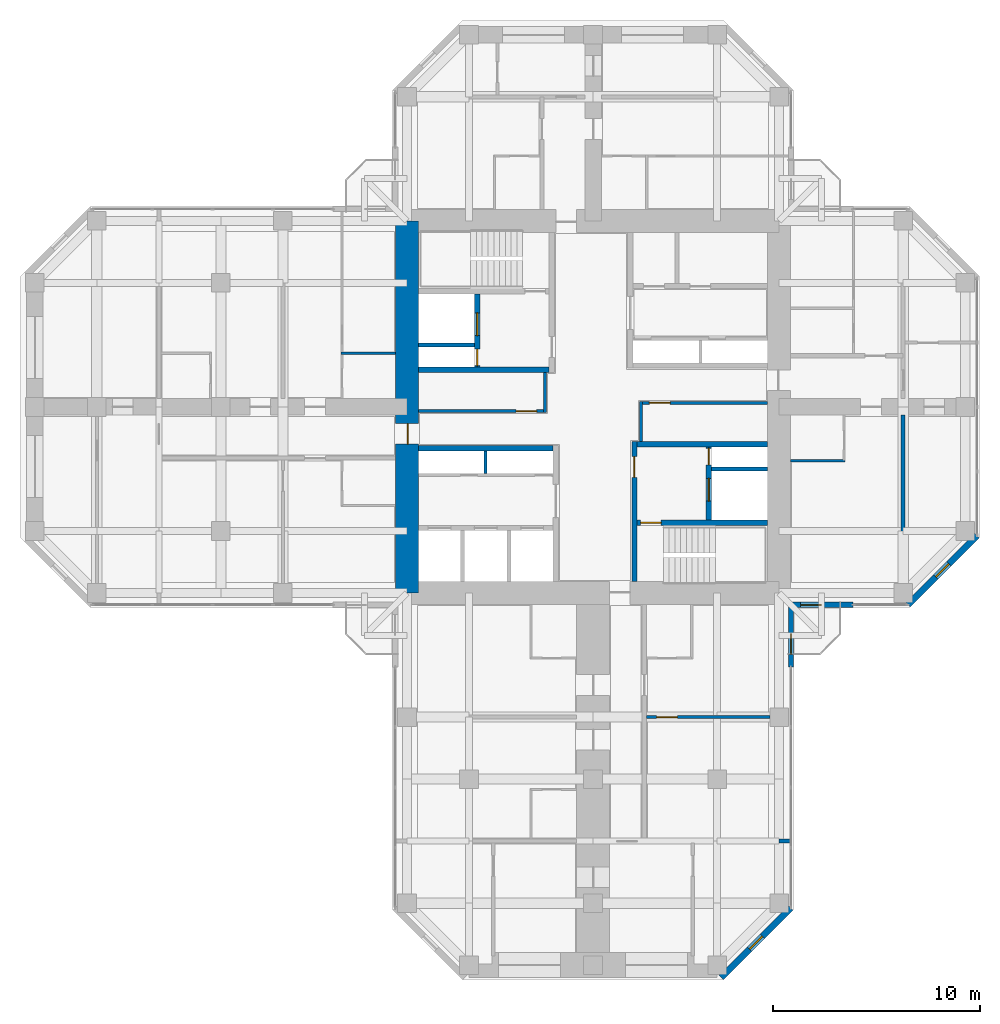
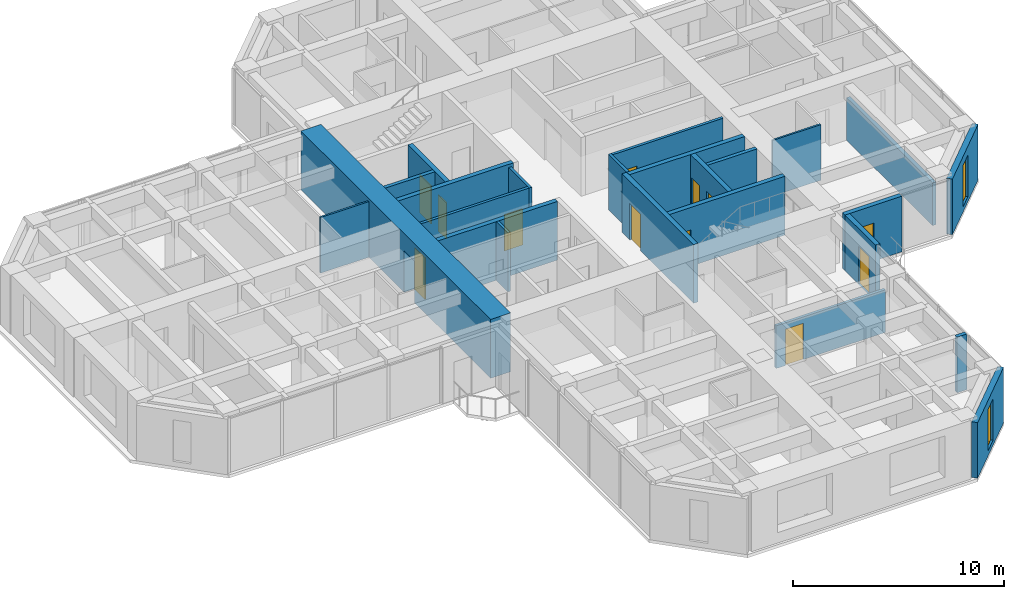
# One storey, part 10 of 14: 24 walls, 12 doors, 2 windows, 14 openings.
"""IFC4 building model written with IfcOpenShell, lengths in metres."""

from ifc_helpers import new_model, si_unit, direction, frame, frame_2d, origin, place, context, subcontext, project, spatial, rectangle, hollow_rectangle, extrude, material, layer, layer_set, constituent, constituent_set, type_object, element, fill, save


model = new_model("IFC4")

# Units and contexts
model_context = context("Model", 3, precision=1e-05, world=origin(), true_north=direction((0.0, 1.0)))
body_context = subcontext(model_context, "Body", "Model", "MODEL_VIEW")
ifc_project = project(units=[si_unit("LENGTHUNIT", "METRE"), si_unit("AREAUNIT", "SQUARE_METRE"), si_unit("VOLUMEUNIT", "CUBIC_METRE"), si_unit("PLANEANGLEUNIT", "RADIAN"), si_unit("MASSUNIT", "GRAM", prefix="KILO")], contexts=[model_context])

# Site, building, storey
site_placement = place(None, origin())
site = spatial("IfcSite", under=ifc_project, at=site_placement, CompositionType="ELEMENT")
building_placement = place(site_placement, origin())
building = spatial("IfcBuilding", under=site, at=building_placement, Name="Torre Cruceta", CompositionType="ELEMENT")
storey_placement = place(building_placement, frame((0.0, 0.0, 200.10009765625)))
storey = spatial("IfcBuildingStorey", under=building, at=storey_placement, Name="L50", CompositionType="ELEMENT", Elevation=200.10009765625)

# Walls
ifc_material_1 = material(Name="Water-resistant plasterboard on steel studs", Category="steel")
ifc_layer_1 = layer(ifc_material_1, 0.10009765625)
ifc_layer_set_1 = layer_set([ifc_layer_1], Name="Water-resistant plasterboard on steel studs")
wall_type_1 = type_object("IfcWallType", Name="BATHROOM WALL 100", PredefinedType="PARTITIONING", material=ifc_layer_set_1)
for number, where, z_axis, x_axis, name in (
    (1, (9.550048828125, -2.60009765625, 0.0), (0.0, 0.0, 1.0), (1.0, 0.0, 0.0), "PT4 L50-E-U1RBB"),
    (2, (-9.550048828125, 2.60009765625, 0.0), (0.0, 0.0, 1.0), (-1.0, 0.0, 0.0), "PT4 L50-W-U1RBB"),
):
    element("IfcWall", number, at=place(storey_placement, frame(where, z_axis=z_axis, x_axis=x_axis)), inside=storey, type_object=wall_type_1, Name=name, PredefinedType="PARTITIONING", context=body_context, shape_type="SweptSolid", body=[
        extrude(rectangle(XDim=2.64990234375, YDim=0.10009765625, at=frame_2d((1.324951171875, 0.0))), origin(), (0.0, 0.0, 1.0), 3.219970703125),
    ])
ifc_material_2 = material(Name="Concrete G60 (fck 60 MPa)", Category="concrete")
ifc_layer_2 = layer(ifc_material_2, 0.25)
ifc_layer_set_2 = layer_set([ifc_layer_2], Name="Concrete G60 (fck 60 MPa)")
wall_type_2 = type_object("IfcWallType", Name="CORE INNER WALL 250 G60", PredefinedType="SHEAR", material=ifc_layer_set_2)
wall_1_placement = place(storey_placement, frame((-2.125, 1.800048828125, 0.0), z_axis=(0.0, 0.0, 1.0), x_axis=(-1.0, 0.0, 0.0)))
element("IfcWall", 3, at=wall_1_placement, inside=storey, type_object=wall_type_2, Name="CW4 L50 NW-CV", PredefinedType="SHEAR", context=body_context, shape_type="SweptSolid", body=[
    extrude(rectangle(XDim=6.324951171875, YDim=0.25, at=frame_2d((3.16259765625, 0.0))), origin(), (0.0, 0.0, 1.0), 3.39990234375),
])

# Wall, openings, doors
wall_2_placement = place(storey_placement, frame((-5.60009765625, 1.925048828125, 0.0), z_axis=(0.0, 0.0, 1.0), x_axis=(0.0, 1.0, 0.0)))
wall_2 = element("IfcWall", 4, at=wall_2_placement, inside=storey, type_object=wall_type_2, Name="CW4 L50 NW-FU", PredefinedType="SHEAR", context=body_context, shape_type="SweptSolid", body=[
    extrude(rectangle(XDim=3.550048828125, YDim=0.25, at=frame_2d((1.77490234375, 0.0))), origin(), (0.0, 0.0, 1.0), 3.39990234375),
])
opening_1_placement = place(wall_2_placement, frame((1.52490234375, 0.0, 0.0)))
opening_1 = element("IfcOpeningElement", 5, at=opening_1_placement, cuts=wall_2, Name="Opening LD1", PredefinedType="OPENING", context=body_context, shape_type="SweptSolid", body=[
    extrude(rectangle(XDim=1.10009765625, YDim=2.199951171875, at=frame_2d((0.550048828125, 1.10009765625))), frame((0.0, 0.135009765625, 0.0), z_axis=(0.0, -1.0, 0.0), x_axis=(1.0, 0.0, 0.0)), (0.0, 0.0, 1.0), 0.27001953125),
])
opening_2_placement = place(wall_2_placement, frame((0.074951171875, 0.0, 0.0)))
opening_2 = element("IfcOpeningElement", 6, at=opening_2_placement, cuts=wall_2, Name="Opening D5", PredefinedType="OPENING", context=body_context, shape_type="SweptSolid", body=[
    extrude(rectangle(XDim=0.800048828125, YDim=2.10009765625, at=frame_2d((0.39990234375, 1.050048828125))), frame((0.0, 0.135009765625, 0.0), z_axis=(0.0, -1.0, 0.0), x_axis=(1.0, 0.0, 0.0)), (0.0, 0.0, 1.0), 0.27001953125),
])
ifc_material_3 = material(Name="Stainless steel 1.4401", Category="steel")
door_type_1 = type_object("IfcDoorType", Name="LIFT LANDING DOOR 1100X2200", OperationType="DOUBLE_DOOR_SLIDING", PredefinedType="DOOR", material=ifc_material_3)
door_1_placement = place(opening_1_placement, origin())
door_1 = element("IfcDoor", 7, at=door_1_placement, inside=storey, type_object=door_type_1, Name="Lift landing door FL1", OperationType="DOUBLE_DOOR_SLIDING", OverallHeight=2.199951171875, OverallWidth=1.10009765625, PredefinedType="DOOR", context=body_context, shape_type="SweptSolid", body=[
    extrude(rectangle(XDim=1.10009765625, YDim=2.199951171875, at=frame_2d((0.550048828125, 1.10009765625))), frame((0.0, 0.02490234375, 0.0), z_axis=(0.0, -1.0, 0.0), x_axis=(1.0, 0.0, 0.0)), (0.0, 0.0, 1.0), 0.050048828125),
])
fill(opening_1, door_1)
ifc_material_4 = material(Name="Steel DX51D", Category="steel")
ifc_constituent_1 = constituent(ifc_material_4, Name="Leaf and frame")
ifc_material_5 = material(Name="Polyester powder coating", Category="paint")
ifc_constituent_2 = constituent(ifc_material_5, Name="Finish")
ifc_constituent_set_1 = constituent_set(constituents=[ifc_constituent_1, ifc_constituent_2], Name="Steel fire door")
door_type_2 = type_object("IfcDoorType", Name="RISER ACCESS DOOR 800X2100", OperationType="SINGLE_SWING_LEFT", PredefinedType="DOOR", material=ifc_constituent_set_1)
door_2_placement = place(opening_2_placement, origin())
door_2 = element("IfcDoor", 8, at=door_2_placement, inside=storey, type_object=door_type_2, Name="D5 L50 NW-RISER", OperationType="SINGLE_SWING_LEFT", OverallHeight=2.10009765625, OverallWidth=0.800048828125, PredefinedType="DOOR", context=body_context, shape_type="SweptSolid", body=[
    extrude(rectangle(XDim=0.800048828125, YDim=2.10009765625, at=frame_2d((0.39990234375, 1.050048828125))), frame((0.0, 0.02490234375, 0.0), z_axis=(0.0, -1.0, 0.0), x_axis=(1.0, 0.0, 0.0)), (0.0, 0.0, 1.0), 0.050048828125),
])
fill(opening_2, door_2)

# Wall
wall_3_placement = place(storey_placement, frame((-1.925048828125, -2.0, 0.0), z_axis=(0.0, 0.0, 1.0), x_axis=(-1.0, 0.0, 0.0)))
element("IfcWall", 9, at=wall_3_placement, inside=storey, type_object=wall_type_2, Name="CW4 L50 SW-CV", PredefinedType="SHEAR", context=body_context, shape_type="SweptSolid", body=[
    extrude(rectangle(XDim=6.52490234375, YDim=0.25, at=frame_2d((3.262451171875, 0.0))), origin(), (0.0, 0.0, 1.0), 3.39990234375),
])

# Wall, opening, door
wall_4_placement = place(storey_placement, frame((2.0, -1.675048828125, 0.0), z_axis=(0.0, 0.0, 1.0), x_axis=(0.0, -1.0, 0.0)))
wall_4 = element("IfcWall", 10, at=wall_4_placement, inside=storey, type_object=wall_type_2, Name="CW4 L50 SE-CU", PredefinedType="SHEAR", context=body_context, shape_type="SweptSolid", body=[
    extrude(rectangle(XDim=6.77490234375, YDim=0.25, at=frame_2d((3.387451171875, 0.0))), origin(), (0.0, 0.0, 1.0), 3.39990234375),
])
opening_3_placement = place(wall_4_placement, frame((0.72509765625, 0.0, 0.0)))
opening_3 = element("IfcOpeningElement", 11, at=opening_3_placement, cuts=wall_4, Name="Opening D3", PredefinedType="OPENING", context=body_context, shape_type="SweptSolid", body=[
    extrude(rectangle(XDim=1.0, YDim=2.10009765625, at=frame_2d((0.5, 1.050048828125))), frame((0.0, 0.135009765625, 0.0), z_axis=(0.0, -1.0, 0.0), x_axis=(1.0, 0.0, 0.0)), (0.0, 0.0, 1.0), 0.27001953125),
])
ifc_material_6 = material(Name="Steel DX51D", Category="steel")
ifc_constituent_3 = constituent(ifc_material_6, Name="Leaf and frame")
ifc_material_7 = material(Name="Polyester powder coating", Category="paint")
ifc_constituent_4 = constituent(ifc_material_7, Name="Finish")
ifc_constituent_set_2 = constituent_set(constituents=[ifc_constituent_3, ifc_constituent_4], Name="Steel fire door")
door_type_3 = type_object("IfcDoorType", Name="FIRE DOOR 1000X2100", OperationType="SINGLE_SWING_LEFT", PredefinedType="DOOR", material=ifc_constituent_set_2)
door_3_placement = place(opening_3_placement, origin())
door_3 = element("IfcDoor", 12, at=door_3_placement, inside=storey, type_object=door_type_3, Name="D3 L50 SE-LOBBY", OperationType="SINGLE_SWING_LEFT", OverallHeight=2.10009765625, OverallWidth=1.0, PredefinedType="DOOR", context=body_context, shape_type="SweptSolid", body=[
    extrude(rectangle(XDim=1.0, YDim=2.10009765625, at=frame_2d((0.5, 1.050048828125))), frame((0.0, 0.02490234375, 0.0), z_axis=(0.0, -1.0, 0.0), x_axis=(1.0, 0.0, 0.0)), (0.0, 0.0, 1.0), 0.050048828125),
])
fill(opening_3, door_3)

# Wall
wall_5_placement = place(storey_placement, frame((2.125, -1.800048828125, 0.0), z_axis=(0.0, 0.0, 1.0), x_axis=(1.0, 0.0, 0.0)))
element("IfcWall", 13, at=wall_5_placement, inside=storey, type_object=wall_type_2, Name="CW4 L50 SE-CV", PredefinedType="SHEAR", context=body_context, shape_type="SweptSolid", body=[
    extrude(rectangle(XDim=6.324951171875, YDim=0.25, at=frame_2d((3.16259765625, 0.0))), origin(), (0.0, 0.0, 1.0), 3.39990234375),
])

# Wall, opening, door
wall_6_placement = place(storey_placement, frame((2.125, -5.60009765625, 0.0), z_axis=(0.0, 0.0, 1.0), x_axis=(1.0, 0.0, 0.0)))
wall_6 = element("IfcWall", 14, at=wall_6_placement, inside=storey, type_object=wall_type_2, Name="CW4 L50 SE-SV", PredefinedType="SHEAR", context=body_context, shape_type="SweptSolid", body=[
    extrude(rectangle(XDim=6.324951171875, YDim=0.25, at=frame_2d((3.16259765625, 0.0))), origin(), (0.0, 0.0, 1.0), 3.39990234375),
])
opening_4_placement = place(wall_6_placement, frame((0.175048828125, 0.0, 0.0)))
opening_4 = element("IfcOpeningElement", 15, at=opening_4_placement, cuts=wall_6, Name="Opening D3", PredefinedType="OPENING", context=body_context, shape_type="SweptSolid", body=[
    extrude(rectangle(XDim=1.0, YDim=2.10009765625, at=frame_2d((0.5, 1.050048828125))), frame((0.0, 0.135009765625, 0.0), z_axis=(0.0, -1.0, 0.0), x_axis=(1.0, 0.0, 0.0)), (0.0, 0.0, 1.0), 0.27001953125),
])
door_4_placement = place(opening_4_placement, frame((1.0, 0.0, 0.0), z_axis=(0.0, 0.0, 1.0), x_axis=(-1.0, 0.0, 0.0)))
door_4 = element("IfcDoor", 16, at=door_4_placement, inside=storey, type_object=door_type_3, Name="D3 L50 SE-STAIR", OperationType="SINGLE_SWING_RIGHT", OverallHeight=2.10009765625, OverallWidth=1.0, PredefinedType="DOOR", context=body_context, shape_type="SweptSolid", body=[
    extrude(rectangle(XDim=1.0, YDim=2.10009765625, at=frame_2d((0.5, 1.050048828125))), frame((0.0, 0.025146484375, 0.0), z_axis=(0.0, -1.0, 0.0), x_axis=(1.0, 0.0, 0.0)), (0.0, 0.0, 1.0), 0.050048828125),
])
fill(opening_4, door_4)

# Wall, openings, doors
wall_7_placement = place(storey_placement, frame((5.60009765625, -1.925048828125, 0.0), z_axis=(0.0, 0.0, 1.0), x_axis=(0.0, -1.0, 0.0)))
wall_7 = element("IfcWall", 17, at=wall_7_placement, inside=storey, type_object=wall_type_2, Name="CW4 L50 SE-FU", PredefinedType="SHEAR", context=body_context, shape_type="SweptSolid", body=[
    extrude(rectangle(XDim=3.550048828125, YDim=0.25, at=frame_2d((1.77490234375, 0.0))), origin(), (0.0, 0.0, 1.0), 3.39990234375),
])
opening_5_placement = place(wall_7_placement, frame((1.52490234375, 0.0, 0.0)))
opening_5 = element("IfcOpeningElement", 18, at=opening_5_placement, cuts=wall_7, Name="Opening LD1", PredefinedType="OPENING", context=body_context, shape_type="SweptSolid", body=[
    extrude(rectangle(XDim=1.10009765625, YDim=2.199951171875, at=frame_2d((0.550048828125, 1.10009765625))), frame((0.0, 0.135009765625, 0.0), z_axis=(0.0, -1.0, 0.0), x_axis=(1.0, 0.0, 0.0)), (0.0, 0.0, 1.0), 0.27001953125),
])
opening_6_placement = place(wall_7_placement, frame((0.074951171875, 0.0, 0.0)))
opening_6 = element("IfcOpeningElement", 19, at=opening_6_placement, cuts=wall_7, Name="Opening D5", PredefinedType="OPENING", context=body_context, shape_type="SweptSolid", body=[
    extrude(rectangle(XDim=0.800048828125, YDim=2.10009765625, at=frame_2d((0.39990234375, 1.050048828125))), frame((0.0, 0.135009765625, 0.0), z_axis=(0.0, -1.0, 0.0), x_axis=(1.0, 0.0, 0.0)), (0.0, 0.0, 1.0), 0.27001953125),
])
door_5_placement = place(opening_5_placement, origin())
door_5 = element("IfcDoor", 20, at=door_5_placement, inside=storey, type_object=door_type_1, Name="Lift landing door FL2", OperationType="DOUBLE_DOOR_SLIDING", OverallHeight=2.199951171875, OverallWidth=1.10009765625, PredefinedType="DOOR", context=body_context, shape_type="SweptSolid", body=[
    extrude(rectangle(XDim=1.10009765625, YDim=2.199951171875, at=frame_2d((0.550048828125, 1.10009765625))), frame((0.0, 0.02490234375, 0.0), z_axis=(0.0, -1.0, 0.0), x_axis=(1.0, 0.0, 0.0)), (0.0, 0.0, 1.0), 0.050048828125),
])
fill(opening_5, door_5)
door_6_placement = place(opening_6_placement, origin())
door_6 = element("IfcDoor", 21, at=door_6_placement, inside=storey, type_object=door_type_2, Name="D5 L50 SE-RISER", OperationType="SINGLE_SWING_LEFT", OverallHeight=2.10009765625, OverallWidth=0.800048828125, PredefinedType="DOOR", context=body_context, shape_type="SweptSolid", body=[
    extrude(rectangle(XDim=0.800048828125, YDim=2.10009765625, at=frame_2d((0.39990234375, 1.050048828125))), frame((0.0, 0.02490234375, 0.0), z_axis=(0.0, -1.0, 0.0), x_axis=(1.0, 0.0, 0.0)), (0.0, 0.0, 1.0), 0.050048828125),
])
fill(opening_6, door_6)

# Wall, opening, door
ifc_material_8 = material(Name="Concrete G60 (fck 60 MPa)", Category="concrete")
ifc_layer_3 = layer(ifc_material_8, 1.10009765625)
ifc_layer_set_3 = layer_set([ifc_layer_3], Name="Concrete G60 (fck 60 MPa)")
wall_type_3 = type_object("IfcWallType", Name="CORE WALL 1100 G60", PredefinedType="SHEAR", material=ifc_layer_set_3)
wall_8_placement = place(storey_placement, frame((-9.0, 9.0, 0.0), z_axis=(0.0, 0.0, 1.0), x_axis=(0.0, -1.0, 0.0)))
wall_8 = element("IfcWall", 22, at=wall_8_placement, inside=storey, type_object=wall_type_3, Name="CW2 L50 CW-W", PredefinedType="SHEAR", context=body_context, shape_type="SweptSolid", body=[
    extrude(rectangle(XDim=18.0, YDim=1.10009765625, at=frame_2d((9.0, 0.0))), origin(), (0.0, 0.0, 1.0), 3.39990234375),
])
opening_7_placement = place(wall_8_placement, frame((9.800048828125, 0.0, 0.0)))
opening_7 = element("IfcOpeningElement", 23, at=opening_7_placement, cuts=wall_8, Name="Opening D4", PredefinedType="OPENING", context=body_context, shape_type="SweptSolid", body=[
    extrude(rectangle(XDim=1.0, YDim=2.39990234375, at=frame_2d((0.5, 1.199951171875))), frame((0.0, 0.56005859375, 0.0), z_axis=(0.0, -1.0, 0.0), x_axis=(1.0, 0.0, 0.0)), (0.0, 0.0, 1.0), 1.1201171875),
])
ifc_material_9 = material(Name="Steel DX51D", Category="steel")
ifc_constituent_5 = constituent(ifc_material_9, Name="Leaf and frame")
ifc_material_10 = material(Name="Polyester powder coating", Category="paint")
ifc_constituent_6 = constituent(ifc_material_10, Name="Finish")
ifc_constituent_set_3 = constituent_set(constituents=[ifc_constituent_5, ifc_constituent_6], Name="Steel fire door")
door_type_4 = type_object("IfcDoorType", Name="CORE ARM DOOR 1000X2400", OperationType="SINGLE_SWING_RIGHT", PredefinedType="DOOR", material=ifc_constituent_set_3)
door_7_placement = place(opening_7_placement, origin())
door_7 = element("IfcDoor", 24, at=door_7_placement, inside=storey, type_object=door_type_4, Name="D4 L50 CW-W", OperationType="SINGLE_SWING_RIGHT", OverallHeight=2.39990234375, OverallWidth=1.0, PredefinedType="DOOR", context=body_context, shape_type="SweptSolid", body=[
    extrude(rectangle(XDim=1.0, YDim=2.39990234375, at=frame_2d((0.5, 1.199951171875))), frame((0.0, 0.05517578125, 0.0), z_axis=(0.0, -1.0, 0.0), x_axis=(1.0, 0.0, 0.0)), (0.0, 0.0, 1.0), 0.050048828125),
])
fill(opening_7, door_7)

# Wall, opening, window
ifc_material_11 = material(Name="Concrete G30 (fck 30 MPa)", Category="concrete")
ifc_layer_4 = layer(ifc_material_11, 0.300048828125)
ifc_layer_set_4 = layer_set([ifc_layer_4], Name="Concrete G30 (fck 30 MPa)")
wall_type_4 = type_object("IfcWallType", Name="EXPOSED CONCRETE FACADE WALL 300", PredefinedType="SOLIDWALL", material=ifc_layer_set_4)
wall_9_placement = place(storey_placement, frame((15.236083984375, -9.570068359375, 0.0), z_axis=(0.0, 0.0, 1.0), x_axis=(0.707106781187, 0.707106781187, 0.0)))
wall_9 = element("IfcWall", 25, at=wall_9_placement, inside=storey, type_object=wall_type_4, Name="EW1 facade wall L50 E chamfer 01", PredefinedType="SOLIDWALL", context=body_context, shape_type="SweptSolid", body=[
    extrude(rectangle(XDim=4.715087890625, YDim=0.300048828125, at=frame_2d((2.357421875, 0.0))), origin(), (0.0, 0.0, 1.0), 3.219970703125),
])
opening_8_placement = place(wall_9_placement, frame((1.907470703125, 0.0, 0.300048828125)))
opening_8 = element("IfcOpeningElement", 26, at=opening_8_placement, cuts=wall_9, Name="Opening WN5", PredefinedType="OPENING", context=body_context, shape_type="SweptSolid", body=[
    extrude(rectangle(XDim=0.89990234375, YDim=2.39990234375, at=frame_2d((0.449951171875, 1.199951171875))), frame((0.0, 0.159912109375, 0.0), z_axis=(0.0, -1.0, 0.0), x_axis=(1.0, 0.0, 0.0)), (0.0, 0.0, 1.0), 0.320068359375),
])
ifc_material_12 = material(Name="Aluminium window frame", Category="aluminium")
ifc_constituent_7 = constituent(ifc_material_12, Name="Frame")
ifc_material_13 = material(Name="Laminated insulating glass unit, low-iron clear", Category="glass")
ifc_constituent_8 = constituent(ifc_material_13, Name="Glazing")
ifc_constituent_set_4 = constituent_set(constituents=[ifc_constituent_7, ifc_constituent_8], Name="Aluminium window")
window_type = type_object("IfcWindowType", Name="CHAMFER SLOT WINDOW 900X2400", PartitioningType="SINGLE_PANEL", PredefinedType="WINDOW", material=ifc_constituent_set_4)
window_1_placement = place(opening_8_placement, origin())
window_1 = element("IfcWindow", 27, at=window_1_placement, inside=storey, type_object=window_type, Name="WN5 L50 E 1", OverallHeight=2.39990234375, OverallWidth=0.89990234375, PartitioningType="SINGLE_PANEL", PredefinedType="WINDOW", context=body_context, shape_type="SweptSolid", body=[
    extrude(hollow_rectangle(XDim=0.89990234375, YDim=2.39990234375, WallThickness=0.06005859375, at=frame_2d((0.449951171875, 1.199951171875))), frame((0.0, 0.030029296875, 0.0), z_axis=(0.0, -1.0, 0.0), x_axis=(1.0, 0.0, 0.0)), (0.0, 0.0, 1.0), 0.06005859375),
    extrude(rectangle(XDim=0.77880859375, YDim=2.27880859375, at=frame_2d((0.449951171875, 1.199951171875))), frame((0.0, 0.030029296875, 0.0), z_axis=(0.0, -1.0, 0.0), x_axis=(1.0, 0.0, 0.0)), (0.0, 0.0, 1.0), 0.06005859375),
])
fill(opening_8, window_1)

wall_10_placement = place(storey_placement, frame((6.2060546875, -27.60009765625, 0.0), z_axis=(0.0, 0.0, 1.0), x_axis=(0.707106781187, 0.707106781187, 0.0)))
wall_10 = element("IfcWall", 28, at=wall_10_placement, inside=storey, type_object=wall_type_4, Name="EW1 facade wall L50 S chamfer 18", PredefinedType="SOLIDWALL", context=body_context, shape_type="SweptSolid", body=[
    extrude(rectangle(XDim=4.75732421875, YDim=0.300048828125, at=frame_2d((2.378662109375, 0.0))), origin(), (0.0, 0.0, 1.0), 3.219970703125),
])
opening_9_placement = place(wall_10_placement, frame((1.9287109375, 0.0, 0.300048828125)))
opening_9 = element("IfcOpeningElement", 29, at=opening_9_placement, cuts=wall_10, Name="Opening WN5", PredefinedType="OPENING", context=body_context, shape_type="SweptSolid", body=[
    extrude(rectangle(XDim=0.89990234375, YDim=2.39990234375, at=frame_2d((0.449951171875, 1.199951171875))), frame((0.0, 0.159912109375, 0.0), z_axis=(0.0, -1.0, 0.0), x_axis=(1.0, 0.0, 0.0)), (0.0, 0.0, 1.0), 0.320068359375),
])
window_2_placement = place(opening_9_placement, origin())
window_2 = element("IfcWindow", 30, at=window_2_placement, inside=storey, type_object=window_type, Name="WN5 L50 S 1", OverallHeight=2.39990234375, OverallWidth=0.89990234375, PartitioningType="SINGLE_PANEL", PredefinedType="WINDOW", context=body_context, shape_type="SweptSolid", body=[
    extrude(hollow_rectangle(XDim=0.89990234375, YDim=2.39990234375, WallThickness=0.06005859375, at=frame_2d((0.449951171875, 1.199951171875))), frame((0.0, 0.030029296875, 0.0), z_axis=(0.0, -1.0, 0.0), x_axis=(1.0, 0.0, 0.0)), (0.0, 0.0, 1.0), 0.06005859375),
    extrude(rectangle(XDim=0.77880859375, YDim=2.27880859375, at=frame_2d((0.449951171875, 1.199951171875))), frame((0.0, 0.030029296875, 0.0), z_axis=(0.0, -1.0, 0.0), x_axis=(1.0, 0.0, 0.0)), (0.0, 0.0, 1.0), 0.06005859375),
])
fill(opening_9, window_2)

# Walls
ifc_material_14 = material(Name="Concrete G35 (fck 35 MPa)", Category="concrete")
ifc_layer_5 = layer(ifc_material_14, 0.199951171875)
ifc_layer_set_5 = layer_set([ifc_layer_5], Name="Concrete G35 (fck 35 MPa)")
wall_type_5 = type_object("IfcWallType", Name="LIFT SHAFT WALL 200", PredefinedType="PARTITIONING", material=ifc_layer_set_5)
for number, where, z_axis, x_axis, name in (
    (31, (-5.72509765625, 3.0, 0.0), (0.0, 0.0, 1.0), (-1.0, 0.0, 0.0), "SW1 L50 NW-FR"),
    (32, (5.72509765625, -3.0, 0.0), (0.0, 0.0, 1.0), (1.0, 0.0, 0.0), "SW1 L50 SE-FR"),
):
    element("IfcWall", number, at=place(storey_placement, frame(where, z_axis=z_axis, x_axis=x_axis)), inside=storey, type_object=wall_type_5, Name=name, PredefinedType="PARTITIONING", context=body_context, shape_type="SweptSolid", body=[
        extrude(rectangle(XDim=2.724853515625, YDim=0.199951171875, at=frame_2d((1.3623046875, 0.0))), origin(), (0.0, 0.0, 1.0), 3.39990234375),
    ])

# Wall, opening, door
ifc_material_15 = material(Name="Plasterboard on steel studs", Category="steel")
ifc_layer_6 = layer(ifc_material_15, 0.14990234375)
ifc_layer_set_6 = layer_set([ifc_layer_6], Name="Plasterboard on steel studs")
wall_type_6 = type_object("IfcWallType", Name="PARTITION 150", PredefinedType="PARTITIONING", material=ifc_layer_set_6)
wall_11_placement = place(storey_placement, frame((2.324951171875, 0.199951171875, 0.0), z_axis=(0.0, 0.0, 1.0), x_axis=(1.0, 0.0, 0.0)))
wall_11 = element("IfcWall", 33, at=wall_11_placement, inside=storey, type_object=wall_type_6, Name="PT1 L50-CORE-LEGE-S-W1", PredefinedType="PARTITIONING", context=body_context, shape_type="SweptSolid", body=[
    extrude(rectangle(XDim=6.125, YDim=0.14990234375, at=frame_2d((3.0625, 0.0))), origin(), (0.0, 0.0, 1.0), 3.219970703125),
])
opening_10_placement = place(wall_11_placement, frame((0.39990234375, 0.0, 0.0)))
opening_10 = element("IfcOpeningElement", 34, at=opening_10_placement, cuts=wall_11, Name="Opening D3", PredefinedType="OPENING", context=body_context, shape_type="SweptSolid", body=[
    extrude(rectangle(XDim=1.0, YDim=2.10009765625, at=frame_2d((0.5, 1.050048828125))), frame((0.0, 0.0849609375, 0.0), z_axis=(0.0, -1.0, 0.0), x_axis=(1.0, 0.0, 0.0)), (0.0, 0.0, 1.0), 0.169921875),
])
door_8_placement = place(opening_10_placement, frame((1.0, 0.0, 0.0), z_axis=(0.0, 0.0, 1.0), x_axis=(-1.0, 0.0, 0.0)))
door_8 = element("IfcDoor", 35, at=door_8_placement, inside=storey, type_object=door_type_3, Name="D3 L50-CORE-LEGE-S-W1-D1", OperationType="SINGLE_SWING_RIGHT", OverallHeight=2.10009765625, OverallWidth=1.0, PredefinedType="DOOR", context=body_context, shape_type="SweptSolid", body=[
    extrude(rectangle(XDim=1.0, YDim=2.10009765625, at=frame_2d((0.5, 1.050048828125))), frame((0.0, 0.025146484375, 0.0), z_axis=(0.0, -1.0, 0.0), x_axis=(1.0, 0.0, 0.0)), (0.0, 0.0, 1.0), 0.050048828125),
])
fill(opening_10, door_8)

# Wall
wall_12_placement = place(storey_placement, frame((2.324951171875, -1.675048828125, 0.0), z_axis=(0.0, 0.0, 1.0), x_axis=(0.0, 1.0, 0.0)))
element("IfcWall", 36, at=wall_12_placement, inside=storey, type_object=wall_type_6, Name="PT1 L50-CORE-LEGE-S-W2", PredefinedType="PARTITIONING", context=body_context, shape_type="SweptSolid", body=[
    extrude(rectangle(XDim=1.949951171875, YDim=0.14990234375, at=frame_2d((0.97509765625, 0.0))), origin(), (0.0, 0.0, 1.0), 3.219970703125),
])

# Wall, opening, door
wall_13_placement = place(storey_placement, frame((-2.324951171875, -0.199951171875, 0.0), z_axis=(0.0, 0.0, 1.0), x_axis=(-1.0, 0.0, 0.0)))
wall_13 = element("IfcWall", 37, at=wall_13_placement, inside=storey, type_object=wall_type_6, Name="PT1 L50-CORE-LEGW-N-W1", PredefinedType="PARTITIONING", context=body_context, shape_type="SweptSolid", body=[
    extrude(rectangle(XDim=6.125, YDim=0.14990234375, at=frame_2d((3.0625, 0.0))), origin(), (0.0, 0.0, 1.0), 3.219970703125),
])
opening_11_placement = place(wall_13_placement, frame((0.39990234375, 0.0, 0.0)))
opening_11 = element("IfcOpeningElement", 38, at=opening_11_placement, cuts=wall_13, Name="Opening D3", PredefinedType="OPENING", context=body_context, shape_type="SweptSolid", body=[
    extrude(rectangle(XDim=1.0, YDim=2.10009765625, at=frame_2d((0.5, 1.050048828125))), frame((0.0, 0.0849609375, 0.0), z_axis=(0.0, -1.0, 0.0), x_axis=(1.0, 0.0, 0.0)), (0.0, 0.0, 1.0), 0.169921875),
])
door_9_placement = place(opening_11_placement, frame((1.0, 0.0, 0.0), z_axis=(0.0, 0.0, 1.0), x_axis=(-1.0, 0.0, 0.0)))
door_9 = element("IfcDoor", 39, at=door_9_placement, inside=storey, type_object=door_type_3, Name="D3 L50-CORE-LEGW-N-W1-D1", OperationType="SINGLE_SWING_RIGHT", OverallHeight=2.10009765625, OverallWidth=1.0, PredefinedType="DOOR", context=body_context, shape_type="SweptSolid", body=[
    extrude(rectangle(XDim=1.0, YDim=2.10009765625, at=frame_2d((0.5, 1.050048828125))), frame((0.0, 0.025146484375, 0.0), z_axis=(0.0, -1.0, 0.0), x_axis=(1.0, 0.0, 0.0)), (0.0, 0.0, 1.0), 0.050048828125),
])
fill(opening_11, door_9)

# Wall
wall_14_placement = place(storey_placement, frame((-2.324951171875, 1.675048828125, 0.0), z_axis=(0.0, 0.0, 1.0), x_axis=(0.0, -1.0, 0.0)))
element("IfcWall", 40, at=wall_14_placement, inside=storey, type_object=wall_type_6, Name="PT1 L50-CORE-LEGW-N-W2", PredefinedType="PARTITIONING", context=body_context, shape_type="SweptSolid", body=[
    extrude(rectangle(XDim=1.949951171875, YDim=0.14990234375, at=frame_2d((0.97509765625, 0.0))), origin(), (0.0, 0.0, 1.0), 3.219970703125),
])

# Wall, opening, door
wall_15_placement = place(storey_placement, frame((2.574951171875, -15.0, 0.0), z_axis=(0.0, 0.0, 1.0), x_axis=(1.0, 0.0, 0.0)))
wall_15 = element("IfcWall", 41, at=wall_15_placement, inside=storey, type_object=wall_type_6, Name="PT1 L50-S-P1L", PredefinedType="PARTITIONING", context=body_context, shape_type="SweptSolid", body=[
    extrude(rectangle(XDim=5.97509765625, YDim=0.14990234375, at=frame_2d((2.987548828125, 0.0))), origin(), (0.0, 0.0, 1.0), 2.469970703125),
])
opening_12_placement = place(wall_15_placement, frame((0.5, 0.0, 0.0)))
opening_12 = element("IfcOpeningElement", 42, at=opening_12_placement, cuts=wall_15, Name="Opening D3", PredefinedType="OPENING", context=body_context, shape_type="SweptSolid", body=[
    extrude(rectangle(XDim=1.0, YDim=2.10009765625, at=frame_2d((0.5, 1.050048828125))), frame((0.0, 0.0849609375, 0.0), z_axis=(0.0, -1.0, 0.0), x_axis=(1.0, 0.0, 0.0)), (0.0, 0.0, 1.0), 0.169921875),
])
door_10_placement = place(opening_12_placement, origin())
door_10 = element("IfcDoor", 43, at=door_10_placement, inside=storey, type_object=door_type_3, Name="D3 L50-S-P1L-D1", OperationType="SINGLE_SWING_LEFT", OverallHeight=2.10009765625, OverallWidth=1.0, PredefinedType="DOOR", context=body_context, shape_type="SweptSolid", body=[
    extrude(rectangle(XDim=1.0, YDim=2.10009765625, at=frame_2d((0.5, 1.050048828125))), frame((0.0, 0.02490234375, 0.0), z_axis=(0.0, -1.0, 0.0), x_axis=(1.0, 0.0, 0.0)), (0.0, 0.0, 1.0), 0.050048828125),
])
fill(opening_12, door_10)

# Walls
ifc_material_16 = material(Name="Concrete block masonry", Category="masonry")
ifc_layer_7 = layer(ifc_material_16, 0.14990234375)
ifc_layer_set_7 = layer_set([ifc_layer_7], Name="Concrete block masonry")
wall_type_7 = type_object("IfcWallType", Name="RISER WALL 150", PredefinedType="PARTITIONING", material=ifc_layer_set_7)
wall_16_placement = place(storey_placement, frame((-5.199951171875, -2.125, 0.0), z_axis=(0.0, 0.0, 1.0), x_axis=(0.0, -1.0, 0.0)))
element("IfcWall", 44, at=wall_16_placement, inside=storey, type_object=wall_type_7, Name="SW7 L50 SW-RU", PredefinedType="PARTITIONING", context=body_context, shape_type="SweptSolid", body=[
    extrude(rectangle(XDim=1.10009765625, YDim=0.14990234375, at=frame_2d((0.550048828125, 0.0))), origin(), (0.0, 0.0, 1.0), 3.39990234375),
])
ifc_material_17 = material(Name="Concrete G25 (fck 25 MPa)", Category="concrete")
ifc_layer_8 = layer(ifc_material_17, 0.199951171875)
ifc_layer_set_8 = layer_set([ifc_layer_8], Name="Concrete G25 (fck 25 MPa)")
wall_type_8 = type_object("IfcWallType", Name="UNIT SEPARATING WALL 200", PredefinedType="SOLIDWALL", material=ifc_layer_set_8)
wall_17_placement = place(storey_placement, frame((15.0, -8.550048828125, 0.0), z_axis=(0.0, 0.0, 1.0), x_axis=(0.0, 1.0, 0.0)))
element("IfcWall", 45, at=wall_17_placement, inside=storey, type_object=wall_type_8, Name="PT2 L50-E-ENDa", PredefinedType="SOLIDWALL", context=body_context, shape_type="SweptSolid", body=[
    extrude(rectangle(XDim=8.150146484375, YDim=0.199951171875, at=frame_2d((4.0751953125, 0.0))), origin(), (0.0, 0.0, 1.0), 2.469970703125),
])
wall_18_placement = place(storey_placement, frame((9.0, -21.0, 0.0), z_axis=(0.0, 0.0, 1.0), x_axis=(1.0, 0.0, 0.0)))
element("IfcWall", 46, at=wall_18_placement, inside=storey, type_object=wall_type_8, Name="PT2 L50-S-ENDb 2", PredefinedType="SOLIDWALL", context=body_context, shape_type="SweptSolid", body=[
    extrude(rectangle(XDim=0.530029296875, YDim=0.199951171875, at=frame_2d((0.26513671875, 0.0))), origin(), (0.0, 0.0, 1.0), 3.219970703125),
])

# Wall, opening, door
ifc_material_18 = material(Name="Concrete G30 (fck 30 MPa)", Category="concrete")
ifc_layer_9 = layer(ifc_material_18, 0.25)
ifc_layer_set_9 = layer_set([ifc_layer_9], Name="Concrete G30 (fck 30 MPa)")
wall_type_9 = type_object("IfcWallType", Name="WINTER GARDEN WALL 250", PredefinedType="SOLIDWALL", material=ifc_layer_set_9)
wall_19_placement = place(storey_placement, frame((9.445068359375, -9.570068359375, 0.0), z_axis=(0.0, 0.0, 1.0), x_axis=(1.0, 0.0, 0.0)))
wall_19 = element("IfcWall", 47, at=wall_19_placement, inside=storey, type_object=wall_type_9, Name="EW2 winter garden wall L50 00", PredefinedType="SOLIDWALL", context=body_context, shape_type="SweptSolid", body=[
    extrude(rectangle(XDim=3.125, YDim=0.25, at=frame_2d((1.5625, 0.0))), origin(), (0.0, 0.0, 1.0), 3.219970703125),
])
opening_13_placement = place(wall_19_placement, frame((0.60009765625, 0.0, 0.0)))
opening_13 = element("IfcOpeningElement", 48, at=opening_13_placement, cuts=wall_19, Name="Opening D10", PredefinedType="OPENING", context=body_context, shape_type="SweptSolid", body=[
    extrude(rectangle(XDim=1.0, YDim=2.199951171875, at=frame_2d((0.5, 1.10009765625))), frame((0.0, 0.135009765625, 0.0), z_axis=(0.0, -1.0, 0.0), x_axis=(1.0, 0.0, 0.0)), (0.0, 0.0, 1.0), 0.27001953125),
])
ifc_material_19 = material(Name="Aluminium door frame", Category="aluminium")
ifc_constituent_9 = constituent(ifc_material_19, Name="Frame")
ifc_material_20 = material(Name="Laminated safety glass", Category="glass")
ifc_constituent_10 = constituent(ifc_material_20, Name="Glazing")
ifc_constituent_set_5 = constituent_set(constituents=[ifc_constituent_9, ifc_constituent_10], Name="Aluminium glazed door")
door_type_5 = type_object("IfcDoorType", Name="BALCONY DOOR 1000X2200", OperationType="SINGLE_SWING_RIGHT", PredefinedType="DOOR", material=ifc_constituent_set_5)
door_11_placement = place(opening_13_placement, origin())
door_11 = element("IfcDoor", 49, at=door_11_placement, inside=storey, type_object=door_type_5, Name="D10 balcony door L50 00", OperationType="SINGLE_SWING_LEFT", OverallHeight=2.199951171875, OverallWidth=1.0, PredefinedType="DOOR", context=body_context, shape_type="SweptSolid", body=[
    extrude(hollow_rectangle(XDim=1.0, YDim=2.199951171875, WallThickness=0.06005859375, at=frame_2d((0.5, 1.10009765625))), frame((0.0, 0.02490234375, 0.0), z_axis=(0.0, -1.0, 0.0), x_axis=(1.0, 0.0, 0.0)), (0.0, 0.0, 1.0), 0.050048828125),
    extrude(rectangle(XDim=0.87890625, YDim=2.078857421875, at=frame_2d((0.5, 1.10009765625))), frame((0.0, 0.02490234375, 0.0), z_axis=(0.0, -1.0, 0.0), x_axis=(1.0, 0.0, 0.0)), (0.0, 0.0, 1.0), 0.050048828125),
])
fill(opening_13, door_11)

wall_20_placement = place(storey_placement, frame((9.570068359375, -12.570068359375, 0.0), z_axis=(0.0, 0.0, 1.0), x_axis=(0.0, 1.0, 0.0)))
wall_20 = element("IfcWall", 50, at=wall_20_placement, inside=storey, type_object=wall_type_9, Name="EW2 winter garden wall L50 19", PredefinedType="SOLIDWALL", context=body_context, shape_type="SweptSolid", body=[
    extrude(rectangle(XDim=2.875, YDim=0.25, at=frame_2d((1.4375, 0.0))), origin(), (0.0, 0.0, 1.0), 3.219970703125),
])
opening_14_placement = place(wall_20_placement, frame((0.60009765625, 0.0, 0.0)))
opening_14 = element("IfcOpeningElement", 51, at=opening_14_placement, cuts=wall_20, Name="Opening D10", PredefinedType="OPENING", context=body_context, shape_type="SweptSolid", body=[
    extrude(rectangle(XDim=1.0, YDim=2.199951171875, at=frame_2d((0.5, 1.10009765625))), frame((0.0, 0.135009765625, 0.0), z_axis=(0.0, -1.0, 0.0), x_axis=(1.0, 0.0, 0.0)), (0.0, 0.0, 1.0), 0.27001953125),
])
door_12_placement = place(opening_14_placement, origin())
door_12 = element("IfcDoor", 52, at=door_12_placement, inside=storey, type_object=door_type_5, Name="D10 balcony door L50 19", OperationType="SINGLE_SWING_RIGHT", OverallHeight=2.199951171875, OverallWidth=1.0, PredefinedType="DOOR", context=body_context, shape_type="SweptSolid", body=[
    extrude(hollow_rectangle(XDim=1.0, YDim=2.199951171875, WallThickness=0.06005859375, at=frame_2d((0.5, 1.10009765625))), frame((0.0, 0.02490234375, 0.0), z_axis=(0.0, -1.0, 0.0), x_axis=(1.0, 0.0, 0.0)), (0.0, 0.0, 1.0), 0.050048828125),
    extrude(rectangle(XDim=0.87890625, YDim=2.078857421875, at=frame_2d((0.5, 1.10009765625))), frame((0.0, 0.02490234375, 0.0), z_axis=(0.0, -1.0, 0.0), x_axis=(1.0, 0.0, 0.0)), (0.0, 0.0, 1.0), 0.050048828125),
])
fill(opening_14, door_12)

save(model, "model.ifc")
